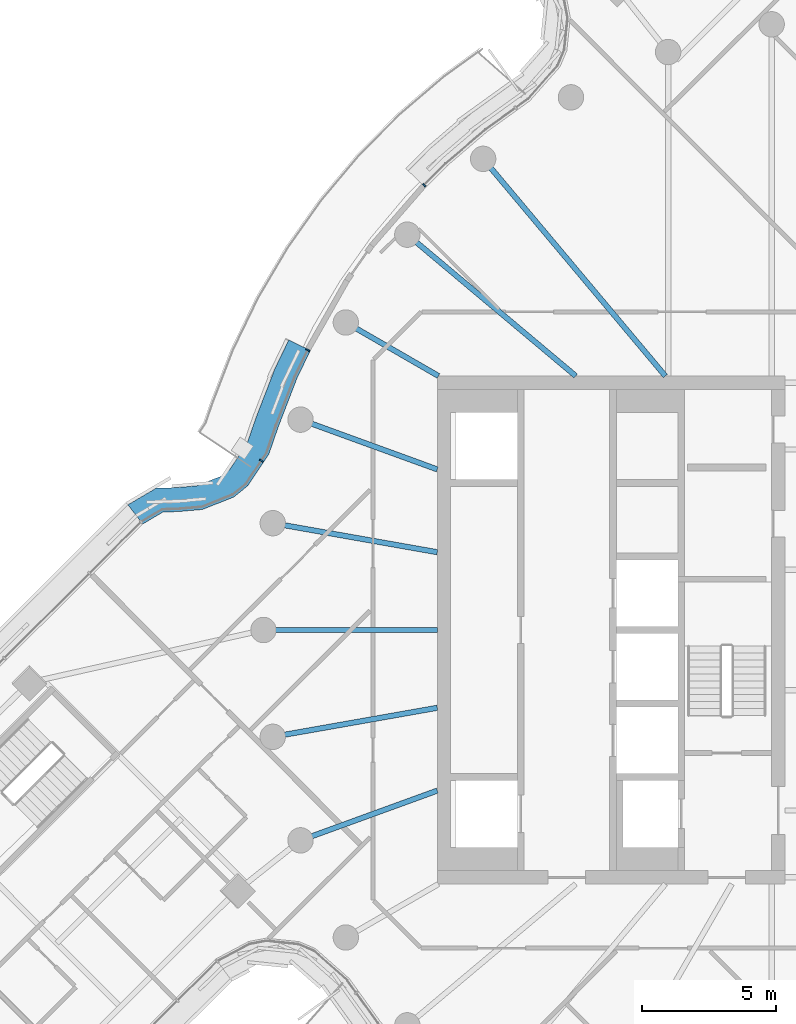
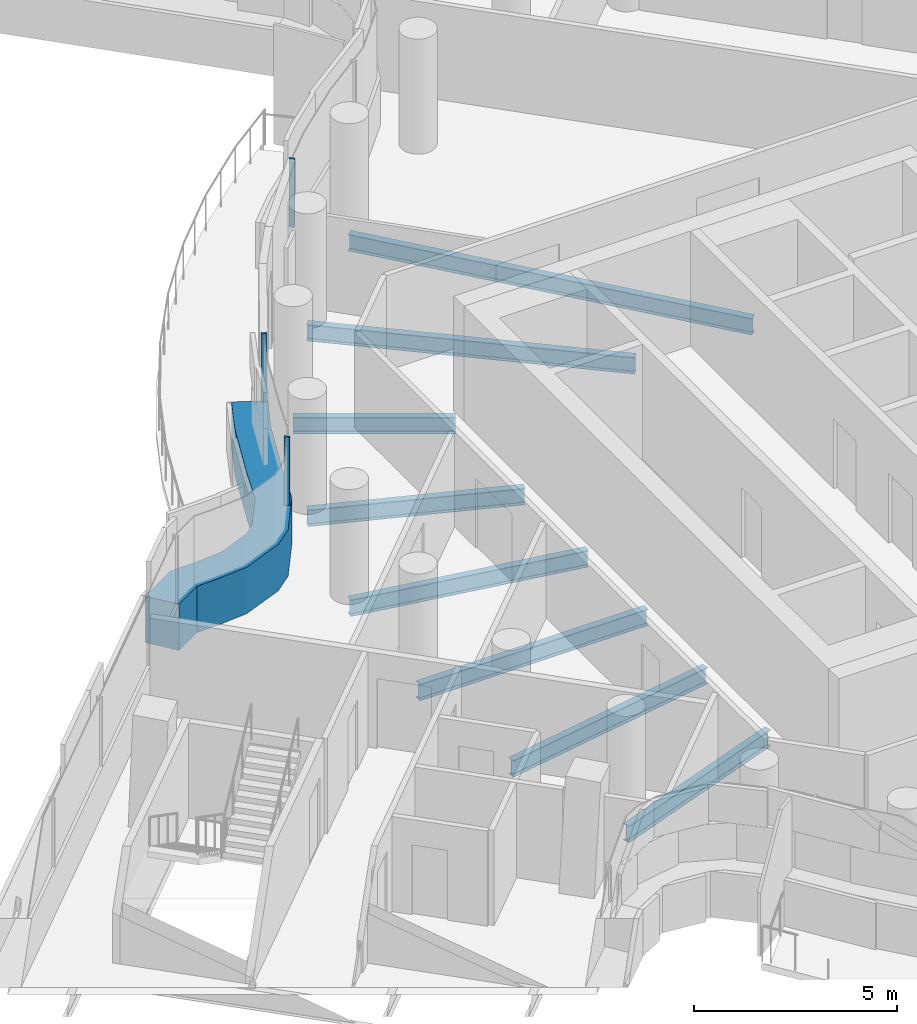
# One storey, part 9 of 31: 8 beams, 4 members, 1 element without a shape of its own.
"""IFC4 building model written with IfcOpenShell, lengths in metres."""

from ifc_helpers import new_model, si_unit, direction, frame, origin, origin_2d, place, context, subcontext, project, spatial, polyline, rectangle, i_section, outline, extrude, material, layer, layer_set, material_profile, profile_set, type_object, element, aggregate, save


model = new_model("IFC4")

# Units and contexts
model_context = context("Model", 3, precision=1e-05, world=origin(), true_north=direction((0.0, 1.0)))
body_context = subcontext(model_context, "Body", "Model", "MODEL_VIEW")
ifc_project = project(units=[si_unit("LENGTHUNIT", "METRE"), si_unit("AREAUNIT", "SQUARE_METRE"), si_unit("VOLUMEUNIT", "CUBIC_METRE"), si_unit("PLANEANGLEUNIT", "RADIAN"), si_unit("MASSUNIT", "GRAM", prefix="KILO")], contexts=[model_context])

# Site, building, storey
site_placement = place(None, origin())
site = spatial("IfcSite", under=ifc_project, at=site_placement, CompositionType="ELEMENT")
building_placement = place(site_placement, origin())
building = spatial("IfcBuilding", under=site, at=building_placement, Name="Tamarind Cross Interchange Tower", CompositionType="ELEMENT")
storey_placement = place(building_placement, frame((0.0, 0.0, 196.89990234375)))
storey = spatial("IfcBuildingStorey", under=building, at=storey_placement, Name="L49", CompositionType="ELEMENT", Elevation=196.89990234375)

# Beams
ifc_material_1 = material(Name="Steel Q355B", Category="steel")
ifc_material_profile_1 = material_profile(ifc_material_1, i_section(OverallWidth=0.198974609375, OverallDepth=0.49609375, WebThickness=0.009033203125, FlangeThickness=0.013916015625, FilletRadius=0.012939453125, at=origin_2d()), Name="HN 496x199x9x14")
ifc_profile_set_1 = profile_set([ifc_material_profile_1], Name="Steel Q355B")
beam_type = type_object("IfcBeamType", Name="Composite beam HN 496x199x9x14 Q355B", PredefinedType="BEAM", material=ifc_profile_set_1)
beam_1_placement = place(storey_placement, frame((-14.7841796875, 17.619140625, -0.387939453125), z_axis=(0.642786293979, -0.766045547127, 0.0), x_axis=(0.766045547127, 0.642786293979, 0.0)))
element("IfcBeam", 1, at=beam_1_placement, inside=storey, type_object=beam_type, Name="Beam HH13", PredefinedType="BEAM", context=body_context, shape_type="SweptSolid", body=[
    extrude(i_section(OverallWidth=0.198974609375, OverallDepth=0.49609375, WebThickness=0.009033203125, FlangeThickness=0.013916015625, FilletRadius=0.012939453125, at=origin_2d()), origin(), (0.0, 0.0, 1.0), 10.598876953125),
])
beam_2_placement = place(storey_placement, frame((-17.619140625, 14.7841796875, -0.387939453125), z_axis=(0.766040580814, -0.642792212574, 0.0), x_axis=(0.642792212574, 0.766040580814, 0.0)))
element("IfcBeam", 2, at=beam_2_placement, inside=storey, type_object=beam_type, Name="Beam HH14", PredefinedType="BEAM", context=body_context, shape_type="SweptSolid", body=[
    extrude(i_section(OverallWidth=0.198974609375, OverallDepth=0.49609375, WebThickness=0.009033203125, FlangeThickness=0.013916015625, FilletRadius=0.012939453125, at=origin_2d()), origin(), (0.0, 0.0, 1.0), 8.220703125),
])
beam_3_placement = place(storey_placement, frame((-19.918701171875, 11.5, -0.387939453125), z_axis=(0.866026010844, -0.49999894854, 0.0), x_axis=(0.49999894854, 0.866026010844, 0.0)))
element("IfcBeam", 3, at=beam_3_placement, inside=storey, type_object=beam_type, Name="Beam HH15", PredefinedType="BEAM", context=body_context, shape_type="SweptSolid", body=[
    extrude(i_section(OverallWidth=0.198974609375, OverallDepth=0.49609375, WebThickness=0.009033203125, FlangeThickness=0.013916015625, FilletRadius=0.012939453125, at=origin_2d()), origin(), (0.0, 0.0, 1.0), 4.0),
])
beam_4_placement = place(storey_placement, frame((-21.613037109375, 7.866455078125, -0.387939453125), z_axis=(0.939701685589, -0.341995236956, 0.0), x_axis=(0.341995236956, 0.939701685589, 0.0)))
element("IfcBeam", 4, at=beam_4_placement, inside=storey, type_object=beam_type, Name="Beam HH16", PredefinedType="BEAM", context=body_context, shape_type="SweptSolid", body=[
    extrude(i_section(OverallWidth=0.198974609375, OverallDepth=0.49609375, WebThickness=0.009033203125, FlangeThickness=0.013916015625, FilletRadius=0.012939453125, at=origin_2d()), origin(), (0.0, 0.0, 1.0), 5.441162109375),
])
beam_5_placement = place(storey_placement, frame((-22.650634765625, 3.993896484375, -0.387939453125), z_axis=(0.984809127561, -0.173640382036, 0.0), x_axis=(0.173640382036, 0.984809127561, 0.0)))
element("IfcBeam", 5, at=beam_5_placement, inside=storey, type_object=beam_type, Name="Beam HH17", PredefinedType="BEAM", context=body_context, shape_type="SweptSolid", body=[
    extrude(i_section(OverallWidth=0.198974609375, OverallDepth=0.49609375, WebThickness=0.009033203125, FlangeThickness=0.013916015625, FilletRadius=0.012939453125, at=origin_2d()), origin(), (0.0, 0.0, 1.0), 6.24560546875),
])
beam_6_placement = place(storey_placement, frame((-23.0, 0.0, -0.387939453125), z_axis=(1.0, 0.0, 0.0), x_axis=(0.0, 1.0, 0.0)))
element("IfcBeam", 6, at=beam_6_placement, inside=storey, type_object=beam_type, Name="Beam HH18", PredefinedType="BEAM", context=body_context, shape_type="SweptSolid", body=[
    extrude(i_section(OverallWidth=0.198974609375, OverallDepth=0.49609375, WebThickness=0.009033203125, FlangeThickness=0.013916015625, FilletRadius=0.012939453125, at=origin_2d()), origin(), (0.0, 0.0, 1.0), 6.5),
])
beam_7_placement = place(storey_placement, frame((-22.650634765625, -3.993896484375, -0.387939453125), z_axis=(0.984809127561, 0.173640382036, 0.0), x_axis=(-0.173640382036, 0.984809127561, 0.0)))
element("IfcBeam", 7, at=beam_7_placement, inside=storey, type_object=beam_type, Name="Beam HH19", PredefinedType="BEAM", context=body_context, shape_type="SweptSolid", body=[
    extrude(i_section(OverallWidth=0.198974609375, OverallDepth=0.49609375, WebThickness=0.009033203125, FlangeThickness=0.013916015625, FilletRadius=0.012939453125, at=origin_2d()), origin(), (0.0, 0.0, 1.0), 6.24560546875),
])
beam_8_placement = place(storey_placement, frame((-21.613037109375, -7.866455078125, -0.387939453125), z_axis=(0.939701685589, 0.341995236956, 0.0), x_axis=(-0.341995236956, 0.939701685589, 0.0)))
element("IfcBeam", 8, at=beam_8_placement, inside=storey, type_object=beam_type, Name="Beam HH20", PredefinedType="BEAM", context=body_context, shape_type="SweptSolid", body=[
    extrude(i_section(OverallWidth=0.198974609375, OverallDepth=0.49609375, WebThickness=0.009033203125, FlangeThickness=0.013916015625, FilletRadius=0.012939453125, at=origin_2d()), origin(), (0.0, 0.0, 1.0), 5.441162109375),
])

# Curtain wall, members
ifc_material_2 = material(Name="Aluminium 6063-T6", Category="aluminium")
ifc_layer = layer(ifc_material_2, 0.139892578125)
ifc_layer_set = layer_set([ifc_layer], Name="Aluminium 6063-T6")
curtain_wall_type = type_object("IfcCurtainWallType", Name="Hotel curtain wall, 4.5 m bays", PredefinedType="NOTDEFINED", material=ifc_layer_set)
curtain_wall_placement = place(storey_placement, origin())
curtain_wall = element("IfcCurtainWall", 9, at=curtain_wall_placement, inside=storey, type_object=curtain_wall_type, Name="CWS-L49-06", PredefinedType="NOTDEFINED")
ifc_material_3 = material(Name="Aluminium and insulated spandrel panel", Category="aluminium")
member_type_1 = type_object("IfcMemberType", Name="Floor-edge blade transom", PredefinedType="USERDEFINED", material=ifc_material_3)
member_1_placement = place(storey_placement, origin())
member_1 = element("IfcMember", 10, at=member_1_placement, type_object=member_type_1, Name="CWT-L49-06-1", ObjectType="TRANSOM", PredefinedType="USERDEFINED", context=body_context, shape_type="SweptSolid", body=[
    extrude(outline(polyline([(-21.244384765625, 10.451416015625), (-21.74072265625, 9.425048828125), (-22.447265625, 7.5908203125), (-22.80126953125, 6.5634765625), (-23.5859375, 5.392578125), (-24.107421875, 4.971435546875), (-25.280517578125, 4.505126953125), (-26.212890625, 4.42578125), (-26.754150390625, 4.410400390625), (-27.51416015625, 3.962890625), (-28.069091796875, 4.6806640625), (-27.01123046875, 5.3037109375), (-26.263671875, 5.32470703125), (-25.489501953125, 5.390625), (-24.566650390625, 5.75732421875), (-24.257568359375, 6.007080078125), (-23.614013671875, 6.96728515625), (-23.29296875, 7.8994140625), (-22.567138671875, 9.783203125), (-22.0517578125, 10.848876953125), (-21.244384765625, 10.451416015625)])), origin(), (0.0, 0.0, 1.0), 1.400146484375),
])
ifc_material_profile_2 = material_profile(ifc_material_2, rectangle(XDim=0.06005859375, YDim=0.139892578125, at=origin_2d()), Name="Mullion CW2")
ifc_profile_set_2 = profile_set([ifc_material_profile_2], Name="Aluminium 6063-T6")
member_type_2 = type_object("IfcMemberType", Name="Mullion CW2", PredefinedType="MULLION", material=ifc_profile_set_2)
member_2_placement = place(storey_placement, frame((-16.989990234375, 16.63232421875, 1.400146484375), z_axis=(0.0, 0.0, 1.0), x_axis=(-0.704057148523, -0.710143317658, 0.0)))
member_2 = element("IfcMember", 11, at=member_2_placement, type_object=member_type_2, Name="CWM-L49-06-02", PredefinedType="MULLION", context=body_context, shape_type="SweptSolid", body=[
    extrude(rectangle(XDim=0.06005859375, YDim=0.139892578125, at=origin_2d()), origin(), (0.0, 0.0, 1.0), 2.06005859375),
])
member_3_placement = place(storey_placement, frame((-21.346923828125, 10.46875, 1.400146484375), z_axis=(0.0, 0.0, 1.0), x_axis=(-0.435326231914, -0.900272776334, 0.0)))
member_3 = element("IfcMember", 12, at=member_3_placement, type_object=member_type_2, Name="CWM-L49-06-03", PredefinedType="MULLION", context=body_context, shape_type="SweptSolid", body=[
    extrude(rectangle(XDim=0.06005859375, YDim=0.139892578125, at=origin_2d()), origin(), (0.0, 0.0, 1.0), 2.06005859375),
])
member_4_placement = place(storey_placement, frame((-23.07763671875, 6.330810546875, 1.400146484375), z_axis=(0.0, 0.0, 1.0), x_axis=(-0.556702458632, -0.830711967262, 0.0)))
member_4 = element("IfcMember", 13, at=member_4_placement, type_object=member_type_2, Name="CWM-L49-06-04", PredefinedType="MULLION", context=body_context, shape_type="SweptSolid", body=[
    extrude(rectangle(XDim=0.06005859375, YDim=0.139892578125, at=origin_2d()), origin(), (0.0, 0.0, 1.0), 2.06005859375),
])
aggregate(curtain_wall, [member_2, member_3, member_4, member_1])

save(model, "model.ifc")
